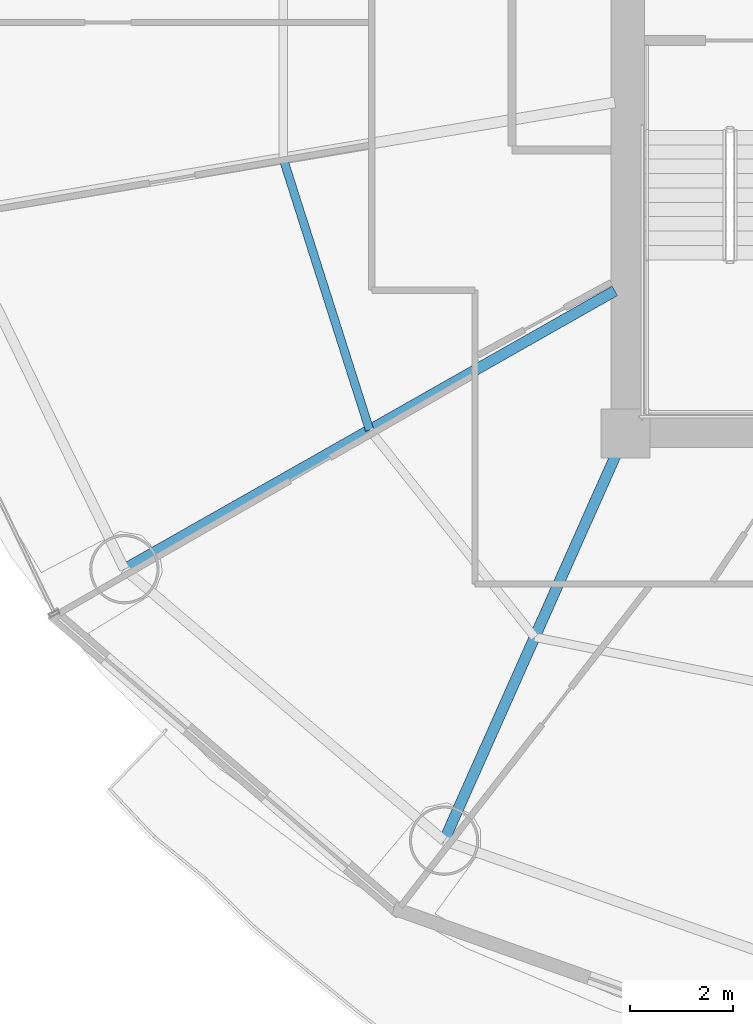
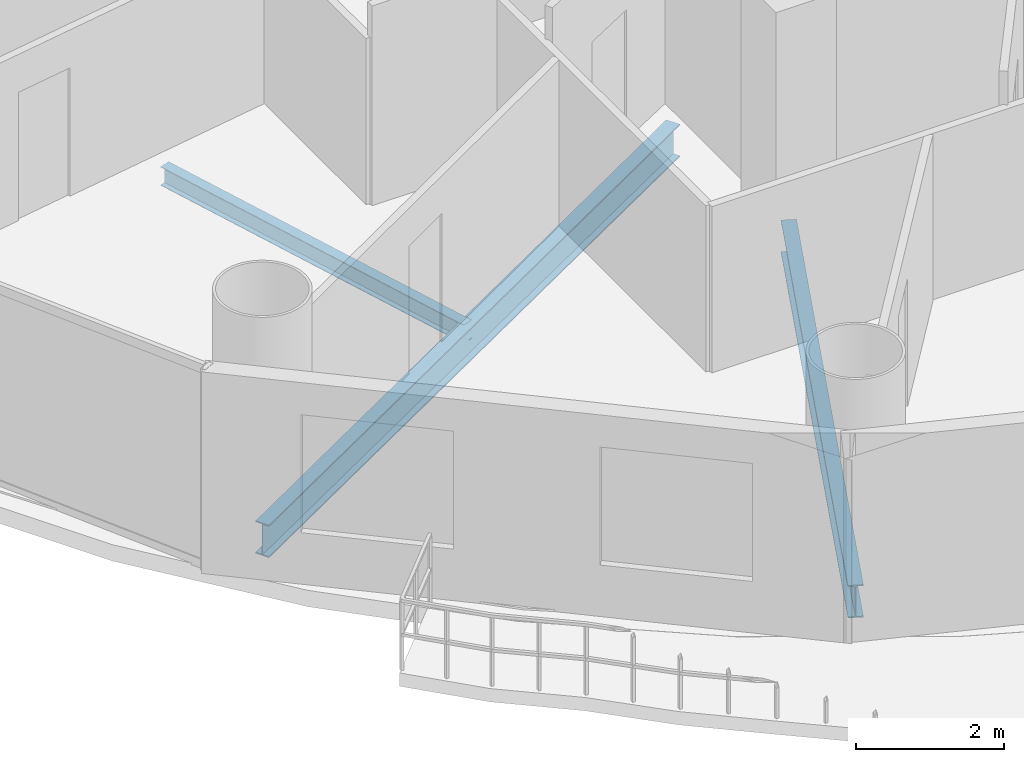
# One storey, part 3 of 26: 3 beams.
"""IFC4 building model written with IfcOpenShell, lengths in metres."""

from ifc_helpers import new_model, si_unit, direction, frame, origin, origin_2d, place, context, subcontext, project, spatial, i_section, extrude, material, material_profile, profile_set, type_object, element, save


model = new_model("IFC4")

# Units and contexts
model_context = context("Model", 3, precision=1e-05, world=origin(), true_north=direction((-0.2419218956, 0.970295726276)))
body_context = subcontext(model_context, "Body", "Model", "MODEL_VIEW")
ifc_project = project(units=[si_unit("LENGTHUNIT", "METRE"), si_unit("AREAUNIT", "SQUARE_METRE"), si_unit("VOLUMEUNIT", "CUBIC_METRE"), si_unit("PLANEANGLEUNIT", "RADIAN"), si_unit("MASSUNIT", "GRAM", prefix="KILO")], contexts=[model_context])

# Site, building, storey
site_placement = place(None, origin())
site = spatial("IfcSite", under=ifc_project, at=site_placement, CompositionType="ELEMENT")
building_placement = place(site_placement, origin())
building = spatial("IfcBuilding", under=site, at=building_placement, Name="Cobrevalo Terracotta Tower", CompositionType="ELEMENT")
storey_placement = place(building_placement, frame((0.0, 0.0, 167.800048828125)))
storey = spatial("IfcBuildingStorey", under=building, at=storey_placement, Name="L44", CompositionType="ELEMENT", Elevation=167.800048828125)

# Beams
ifc_material = material(Name="Steel S355", Category="steel")
ifc_material_profile_1 = material_profile(ifc_material, i_section(OverallWidth=0.2109375, OverallDepth=0.5390625, WebThickness=0.01171875, FlangeThickness=0.018798828125, at=origin_2d()), Name="W 530x109")
ifc_profile_set_1 = profile_set([ifc_material_profile_1], Name="Steel S355")
beam_type_1 = type_object("IfcBeamType", Name="Structural Beam W 530x109 (Steel S355)", PredefinedType="BEAM", material=ifc_profile_set_1)
beam_1_placement = place(storey_placement, frame((19.250244140625, 16.160888671875, -0.53955078125), z_axis=(0.869743726706, 0.493503647257, 0.0), x_axis=(-0.493503647257, 0.869743726706, 0.0)))
element("IfcBeam", 1, at=beam_1_placement, inside=storey, type_object=beam_type_1, Name="L44 radial floor girder 10", PredefinedType="BEAM", context=body_context, shape_type="SweptSolid", body=[
    extrude(i_section(OverallWidth=0.2109375, OverallDepth=0.5390625, WebThickness=0.01171875, FlangeThickness=0.018798828125, at=origin_2d()), origin(), (0.0, 0.0, 1.0), 10.97412109375),
])
beam_2_placement = place(storey_placement, frame((25.471923828125, 10.87744140625, -0.53955078125), z_axis=(0.406804395691, 0.913515289224, 0.0), x_axis=(-0.913515289224, 0.406804395691, 0.0)))
element("IfcBeam", 2, at=beam_2_placement, inside=storey, type_object=beam_type_1, Name="L44 radial floor girder 11", PredefinedType="BEAM", context=body_context, shape_type="SweptSolid", body=[
    extrude(i_section(OverallWidth=0.2109375, OverallDepth=0.5390625, WebThickness=0.01171875, FlangeThickness=0.018798828125, at=origin_2d()), origin(), (0.0, 0.0, 1.0), 8.672607421875),
])
ifc_material_profile_2 = material_profile(ifc_material, i_section(OverallWidth=0.1650390625, OverallDepth=0.31005859375, WebThickness=0.005859375, FlangeThickness=0.009765625, at=origin_2d()), Name="W 310x38.7")
ifc_profile_set_2 = profile_set([ifc_material_profile_2], Name="Steel S355")
beam_type_2 = type_object("IfcBeamType", Name="Structural Joist W 310x38.7 (Steel S355)", PredefinedType="JOIST", material=ifc_profile_set_2)
beam_3_placement = place(storey_placement, frame((22.339111328125, 24.154541015625, -0.425048828125), z_axis=(0.303497928386, -0.952832098255, 0.0), x_axis=(0.952832098255, 0.303497928386, 0.0)))
element("IfcBeam", 3, at=beam_3_placement, inside=storey, type_object=beam_type_2, Name="L44 circumferential secondary floor joist 09", PredefinedType="JOIST", context=body_context, shape_type="SweptSolid", body=[
    extrude(i_section(OverallWidth=0.1650390625, OverallDepth=0.31005859375, WebThickness=0.005859375, FlangeThickness=0.009765625, at=origin_2d()), origin(), (0.0, 0.0, 1.0), 5.54736328125),
])

save(model, "model.ifc")
